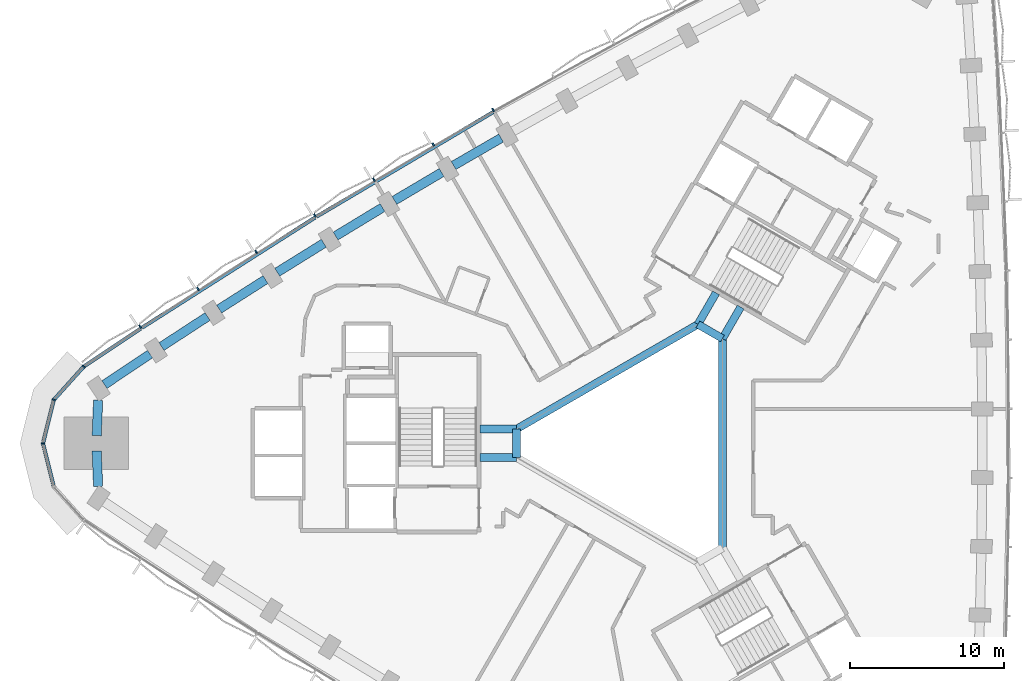
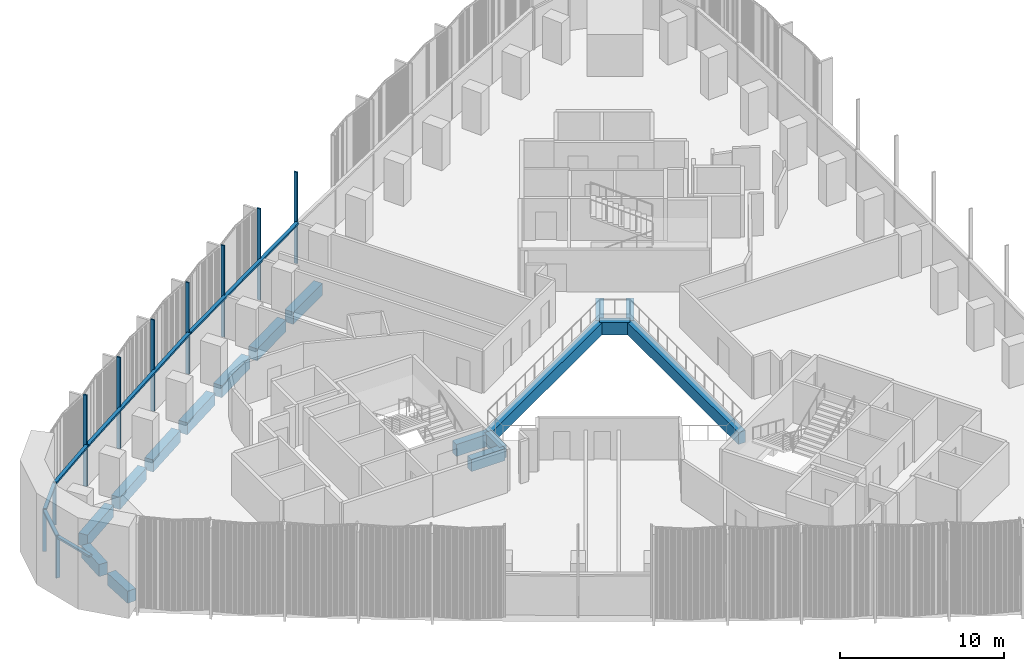
# One storey, part 4 of 15: 17 beams, 16 members, 1 element without a shape of its own.
"""IFC4 building model written with IfcOpenShell, lengths in metres."""

from ifc_helpers import new_model, si_unit, direction, frame, origin, origin_2d, place, context, subcontext, project, spatial, rectangle, extrude, material, material_profile, profile_set, type_object, element, aggregate, save


model = new_model("IFC4")

# Units and contexts
model_context = context("Model", 3, precision=1e-05, world=origin(), true_north=direction((0.0, 1.0)))
body_context = subcontext(model_context, "Body", "Model", "MODEL_VIEW")
ifc_project = project(units=[si_unit("LENGTHUNIT", "METRE"), si_unit("AREAUNIT", "SQUARE_METRE"), si_unit("VOLUMEUNIT", "CUBIC_METRE"), si_unit("PLANEANGLEUNIT", "RADIAN"), si_unit("MASSUNIT", "GRAM", prefix="KILO")], contexts=[model_context])

# Site, building, storey
site_placement = place(None, origin())
site = spatial("IfcSite", under=ifc_project, at=site_placement, CompositionType="ELEMENT")
building_placement = place(site_placement, origin())
building = spatial("IfcBuilding", under=site, at=building_placement, Name="Tamra Quay Hotel Tower", CompositionType="ELEMENT")
storey_placement = place(building_placement, frame((0.0, 0.0, 67.39990234375)))
storey = spatial("IfcBuildingStorey", under=building, at=storey_placement, Name="L15", CompositionType="ELEMENT", Elevation=67.39990234375)

# Beams
ifc_material_1 = material(Name="Concrete M60", Category="concrete")
ifc_material_profile_1 = material_profile(ifc_material_1, rectangle(XDim=0.5, YDim=0.89990234375, at=origin_2d()), Name="ATRIUM EDGE BEAM RC 500x900")
ifc_profile_set_1 = profile_set([ifc_material_profile_1], Name="Concrete M60")
beam_type_1 = type_object("IfcBeamType", Name="ATRIUM EDGE BEAM RC 500x900", PredefinedType="BEAM", material=ifc_profile_set_1)
beam_1_placement = place(storey_placement, frame((5.0, 6.812744140625, -0.9248046875), z_axis=(0.0, -1.0, 0.0), x_axis=(1.0, 0.0, 0.0)))
element("IfcBeam", 1, at=beam_1_placement, inside=storey, type_object=beam_type_1, Name="BM-AB0-L15", PredefinedType="BEAM", context=body_context, shape_type="SweptSolid", body=[
    extrude(rectangle(XDim=0.5, YDim=0.89990234375, at=origin_2d()), origin(), (0.0, 0.0, 1.0), 13.62548828125),
])
beam_2_placement = place(storey_placement, frame((-8.39990234375, -0.923828125, -0.9248046875), z_axis=(0.0, 1.0, 0.0), x_axis=(-1.0, 0.0, 0.0)))
element("IfcBeam", 2, at=beam_2_placement, inside=storey, type_object=beam_type_1, Name="BM-AB3-L15", PredefinedType="BEAM", context=body_context, shape_type="SweptSolid", body=[
    extrude(rectangle(XDim=0.5, YDim=0.89990234375, at=origin_2d()), origin(), (0.0, 0.0, 1.0), 1.84765625),
])
beam_3_placement = place(storey_placement, frame((-8.39990234375, 0.923828125, -0.9248046875), z_axis=(0.866021471679, 0.500006810544, 0.0), x_axis=(-0.500006810544, 0.866021471679, 0.0)))
element("IfcBeam", 3, at=beam_3_placement, inside=storey, type_object=beam_type_1, Name="BM-AB4-L15", PredefinedType="BEAM", context=body_context, shape_type="SweptSolid", body=[
    extrude(rectangle(XDim=0.5, YDim=0.89990234375, at=origin_2d()), origin(), (0.0, 0.0, 1.0), 13.625244140625),
])
beam_4_placement = place(storey_placement, frame((3.39990234375, 7.736572265625, -0.9248046875), z_axis=(0.86602275259, -0.500004591975, 0.0), x_axis=(0.500004591975, 0.86602275259, 0.0)))
element("IfcBeam", 4, at=beam_4_placement, inside=storey, type_object=beam_type_1, Name="BM-AB5-L15", PredefinedType="BEAM", context=body_context, shape_type="SweptSolid", body=[
    extrude(rectangle(XDim=0.5, YDim=0.89990234375, at=origin_2d()), origin(), (0.0, 0.0, 1.0), 1.84765625),
])
ifc_material_profile_2 = material_profile(ifc_material_1, rectangle(XDim=0.5, YDim=0.89990234375, at=origin_2d()), Name="ATRIUM TIE BEAM RC 500x900")
ifc_profile_set_2 = profile_set([ifc_material_profile_2], Name="Concrete M60")
beam_type_2 = type_object("IfcBeamType", Name="ATRIUM TIE BEAM RC 500x900", PredefinedType="BEAM", material=ifc_profile_set_2)
beam_5_placement = place(storey_placement, frame((5.0, 6.812744140625, -0.9248046875), z_axis=(0.500029618126, 0.866008303076, 0.0), x_axis=(-0.866008303076, 0.500029618126, 0.0)))
element("IfcBeam", 5, at=beam_5_placement, inside=storey, type_object=beam_type_2, Name="BM-TIE-0-L15", PredefinedType="BEAM", context=body_context, shape_type="SweptSolid", body=[
    extrude(rectangle(XDim=0.5, YDim=0.89990234375, at=origin_2d()), origin(), (0.0, 0.0, 1.0), 2.362060546875),
])
for number, where, z_axis, x_axis, name in (
    (6, (-8.39990234375, -0.923828125, -0.9248046875), (-1.0, 0.0, 0.0), (0.0, -1.0, 0.0), "BM-TIE-3-L15"),
    (7, (-8.39990234375, 0.923828125, -0.9248046875), (-1.0, 0.0, 0.0), (0.0, -1.0, 0.0), "BM-TIE-4-L15"),
):
    element("IfcBeam", number, at=place(storey_placement, frame(where, z_axis=z_axis, x_axis=x_axis)), inside=storey, type_object=beam_type_2, Name=name, PredefinedType="BEAM", context=body_context, shape_type="SweptSolid", body=[
        extrude(rectangle(XDim=0.5, YDim=0.89990234375, at=origin_2d()), origin(), (0.0, 0.0, 1.0), 2.3623046875),
    ])
beam_6_placement = place(storey_placement, frame((3.39990234375, 7.736572265625, -0.9248046875), z_axis=(0.500029618126, 0.866008303076, 0.0), x_axis=(-0.866008303076, 0.500029618126, 0.0)))
element("IfcBeam", 8, at=beam_6_placement, inside=storey, type_object=beam_type_2, Name="BM-TIE-5-L15", PredefinedType="BEAM", context=body_context, shape_type="SweptSolid", body=[
    extrude(rectangle(XDim=0.5, YDim=0.89990234375, at=origin_2d()), origin(), (0.0, 0.0, 1.0), 2.362060546875),
])

# Curtain wall, members
ifc_material_2 = material(Name="Aluminium 6063 anodised dark grey", Category="aluminium")
curtain_wall_type = type_object("IfcCurtainWallType", Name="CW2 CURTAIN WALL", PredefinedType="NOTDEFINED", material=ifc_material_2)
curtain_wall_placement = place(storey_placement, origin())
curtain_wall = element("IfcCurtainWall", 9, at=curtain_wall_placement, inside=storey, type_object=curtain_wall_type, Name="CW2 north-west face L15", PredefinedType="NOTDEFINED")
ifc_material_profile_3 = material_profile(ifc_material_2, rectangle(XDim=0.239990234375, YDim=0.10009765625, at=origin_2d()), Name="MULLION 100X240")
ifc_profile_set_3 = profile_set([ifc_material_profile_3], Name="Aluminium 6063 anodised dark grey")
member_type_1 = type_object("IfcMemberType", Name="MULLION CW2 Z1", PredefinedType="MULLION", material=ifc_profile_set_3)
member_1_placement = place(storey_placement, frame((-9.9248046875, 21.680419921875, 0.0), z_axis=(0.0, 0.0, 1.0), x_axis=(-0.495300312687, 0.868721819832, 0.0)))
member_1 = element("IfcMember", 10, at=member_1_placement, type_object=member_type_1, Name="CW2 mullion L15.NW.7", PredefinedType="MULLION", context=body_context, shape_type="SweptSolid", body=[
    extrude(rectangle(XDim=0.239990234375, YDim=0.10009765625, at=origin_2d()), origin(), (0.0, 0.0, 1.0), 6.800048828125),
])
member_2_placement = place(storey_placement, frame((-13.8134765625, 19.435546875, 0.0), z_axis=(0.0, 0.0, 1.0), x_axis=(-0.504685008453, 0.863303563205, 0.0)))
member_2 = element("IfcMember", 11, at=member_2_placement, type_object=member_type_1, Name="CW2 mullion L15.NW.8", PredefinedType="MULLION", context=body_context, shape_type="SweptSolid", body=[
    extrude(rectangle(XDim=0.239990234375, YDim=0.10009765625, at=origin_2d()), origin(), (0.0, 0.0, 1.0), 6.800048828125),
])
member_3_placement = place(storey_placement, frame((-17.67724609375, 17.1484375, 0.0), z_axis=(0.0, 0.0, 1.0), x_axis=(-0.514004526657, 0.857787471683, 0.0)))
member_3 = element("IfcMember", 12, at=member_3_placement, type_object=member_type_1, Name="CW2 mullion L15.NW.9", PredefinedType="MULLION", context=body_context, shape_type="SweptSolid", body=[
    extrude(rectangle(XDim=0.239990234375, YDim=0.10009765625, at=origin_2d()), origin(), (0.0, 0.0, 1.0), 6.800048828125),
])
member_4_placement = place(storey_placement, frame((-21.51708984375, 14.8193359375, 0.0), z_axis=(0.0, 0.0, 1.0), x_axis=(-0.523257144174, 0.852174841843, 0.0)))
member_4 = element("IfcMember", 13, at=member_4_placement, type_object=member_type_1, Name="CW2 mullion L15.NW.10", PredefinedType="MULLION", context=body_context, shape_type="SweptSolid", body=[
    extrude(rectangle(XDim=0.239990234375, YDim=0.10009765625, at=origin_2d()), origin(), (0.0, 0.0, 1.0), 6.800048828125),
])
member_5_placement = place(storey_placement, frame((-25.33056640625, 12.44921875, 0.0), z_axis=(0.0, 0.0, 1.0), x_axis=(-0.532446882669, 0.846463417482, 0.0)))
member_5 = element("IfcMember", 14, at=member_5_placement, type_object=member_type_1, Name="CW2 mullion L15.NW.11", PredefinedType="MULLION", context=body_context, shape_type="SweptSolid", body=[
    extrude(rectangle(XDim=0.239990234375, YDim=0.10009765625, at=origin_2d()), origin(), (0.0, 0.0, 1.0), 6.800048828125),
])
member_6_placement = place(storey_placement, frame((-29.1181640625, 10.037841796875, 0.0), z_axis=(0.0, 0.0, 1.0), x_axis=(-0.541560885498, 0.84066152957, 0.0)))
member_6 = element("IfcMember", 15, at=member_6_placement, type_object=member_type_1, Name="CW2 mullion L15.NW.12", PredefinedType="MULLION", context=body_context, shape_type="SweptSolid", body=[
    extrude(rectangle(XDim=0.239990234375, YDim=0.10009765625, at=origin_2d()), origin(), (0.0, 0.0, 1.0), 6.800048828125),
])
member_7_placement = place(storey_placement, frame((-32.88037109375, 7.58544921875, 0.0), z_axis=(0.0, 0.0, 1.0), x_axis=(-0.550591269595, 0.834774971981, 0.0)))
member_7 = element("IfcMember", 16, at=member_7_placement, type_object=member_type_1, Name="CW2 mullion L15.NW.13", PredefinedType="MULLION", context=body_context, shape_type="SweptSolid", body=[
    extrude(rectangle(XDim=0.239990234375, YDim=0.10009765625, at=origin_2d()), origin(), (0.0, 0.0, 1.0), 6.800048828125),
])
member_8_placement = place(storey_placement, frame((-36.547607421875, 4.993896484375, 0.0), z_axis=(0.0, 0.0, 1.0), x_axis=(-0.654196774513, 0.756324388221, 0.0)))
member_8 = element("IfcMember", 17, at=member_8_placement, type_object=member_type_1, Name="CW2 mullion L15.NW.14", PredefinedType="MULLION", context=body_context, shape_type="SweptSolid", body=[
    extrude(rectangle(XDim=0.239990234375, YDim=0.10009765625, at=origin_2d()), origin(), (0.0, 0.0, 1.0), 3.125),
])
member_9_placement = place(storey_placement, frame((-38.497802734375, 2.828125, 0.0), z_axis=(0.0, 0.0, 1.0), x_axis=(-0.882955345235, 0.469456982396, 0.0)))
member_9 = element("IfcMember", 18, at=member_9_placement, type_object=member_type_1, Name="CW2 mullion L15.NW.15", PredefinedType="MULLION", context=body_context, shape_type="SweptSolid", body=[
    extrude(rectangle(XDim=0.239990234375, YDim=0.10009765625, at=origin_2d()), origin(), (0.0, 0.0, 1.0), 3.125),
])
member_10_placement = place(storey_placement, frame((-39.202880859375, 0.0, 0.0), z_axis=(0.0, 0.0, 1.0), x_axis=(-1.0, 0.0, 0.0)))
member_10 = element("IfcMember", 19, at=member_10_placement, type_object=member_type_1, Name="CW2 mullion L15.NW.16", PredefinedType="MULLION", context=body_context, shape_type="SweptSolid", body=[
    extrude(rectangle(XDim=0.239990234375, YDim=0.10009765625, at=origin_2d()), origin(), (0.0, 0.0, 1.0), 3.125),
])

# Beams
ifc_material_profile_4 = material_profile(ifc_material_1, rectangle(XDim=0.60009765625, YDim=0.89990234375, at=origin_2d()), Name="SPANDREL BEAM RC 600x900")
ifc_profile_set_4 = profile_set([ifc_material_profile_4], Name="Concrete M60")
beam_type_3 = type_object("IfcBeamType", Name="SPANDREL BEAM RC 600x900", PredefinedType="SPANDREL", material=ifc_profile_set_4)
beam_7_placement = place(storey_placement, frame((-9.401123046875, 19.853759765625, -0.9248046875), z_axis=(-0.866017069707, -0.500014434768, 0.0), x_axis=(0.500014434768, -0.866017069707, 0.0)))
element("IfcBeam", 20, at=beam_7_placement, inside=storey, type_object=beam_type_3, Name="BM-SP1-021-L15", PredefinedType="SPANDREL", context=body_context, shape_type="SweptSolid", body=[
    extrude(rectangle(XDim=0.60009765625, YDim=0.89990234375, at=origin_2d()), origin(), (0.0, 0.0, 1.0), 3.57080078125),
])
beam_8_placement = place(storey_placement, frame((-13.270263671875, 17.6142578125, -0.9248046875), z_axis=(-0.860524689034, -0.509408735264, 0.0), x_axis=(0.509408735264, -0.860524689034, 0.0)))
element("IfcBeam", 21, at=beam_8_placement, inside=storey, type_object=beam_type_3, Name="BM-SP1-022-L15", PredefinedType="SPANDREL", context=body_context, shape_type="SweptSolid", body=[
    extrude(rectangle(XDim=0.60009765625, YDim=0.89990234375, at=origin_2d()), origin(), (0.0, 0.0, 1.0), 3.570556640625),
])
beam_9_placement = place(storey_placement, frame((-17.114990234375, 15.3330078125, -0.9248046875), z_axis=(-0.854966252085, -0.518683629775, 0.0), x_axis=(0.518683629775, -0.854966252085, 0.0)))
element("IfcBeam", 22, at=beam_9_placement, inside=storey, type_object=beam_type_3, Name="BM-SP1-023-L15", PredefinedType="SPANDREL", context=body_context, shape_type="SweptSolid", body=[
    extrude(rectangle(XDim=0.60009765625, YDim=0.89990234375, at=origin_2d()), origin(), (0.0, 0.0, 1.0), 3.56982421875),
])
beam_10_placement = place(storey_placement, frame((-20.93408203125, 13.010498046875, -0.9248046875), z_axis=(-0.849320953317, -0.527876802158, 0.0), x_axis=(0.527876802158, -0.849320953317, 0.0)))
element("IfcBeam", 23, at=beam_10_placement, inside=storey, type_object=beam_type_3, Name="BM-SP1-024-L15", PredefinedType="SPANDREL", context=body_context, shape_type="SweptSolid", body=[
    extrude(rectangle(XDim=0.60009765625, YDim=0.89990234375, at=origin_2d()), origin(), (0.0, 0.0, 1.0), 3.570556640625),
])
beam_11_placement = place(storey_placement, frame((-24.728515625, 10.646484375, -0.9248046875), z_axis=(-0.843593906333, -0.53698167678, 0.0), x_axis=(0.53698167678, -0.843593906333, 0.0)))
element("IfcBeam", 24, at=beam_11_placement, inside=storey, type_object=beam_type_3, Name="BM-SP1-025-L15", PredefinedType="SPANDREL", context=body_context, shape_type="SweptSolid", body=[
    extrude(rectangle(XDim=0.60009765625, YDim=0.89990234375, at=origin_2d()), origin(), (0.0, 0.0, 1.0), 3.5703125),
])
beam_12_placement = place(storey_placement, frame((-28.4970703125, 8.24169921875, -0.9248046875), z_axis=(-0.837739819239, -0.546069588296, 0.0), x_axis=(0.546069588296, -0.837739819239, 0.0)))
element("IfcBeam", 25, at=beam_12_placement, inside=storey, type_object=beam_type_3, Name="BM-SP1-026-L15", PredefinedType="SPANDREL", context=body_context, shape_type="SweptSolid", body=[
    extrude(rectangle(XDim=0.60009765625, YDim=0.89990234375, at=origin_2d()), origin(), (0.0, 0.0, 1.0), 3.570068359375),
])
beam_13_placement = place(storey_placement, frame((-32.239013671875, 5.796630859375, -0.9248046875), z_axis=(-0.831818807601, -0.555047269448, 0.0), x_axis=(0.555047269448, -0.831818807601, 0.0)))
element("IfcBeam", 26, at=beam_13_placement, inside=storey, type_object=beam_type_3, Name="BM-SP1-027-L15", PredefinedType="SPANDREL", context=body_context, shape_type="SweptSolid", body=[
    extrude(rectangle(XDim=0.60009765625, YDim=0.89990234375, at=origin_2d()), origin(), (0.0, 0.0, 1.0), 3.57080078125),
])
for number, where, z_axis, x_axis, name in (
    (27, (-35.614501953125, 2.805908203125, -0.9248046875), (-0.040711272802, -0.999170952474, 0.0), (0.999170952474, -0.040711272802, 0.0), "BM-SP1-028-L15"),
    (28, (-35.70849609375, -0.4990234375, -0.9248046875), (0.040711272802, -0.999170952474, 0.0), (0.999170952474, 0.040711272802, 0.0), "BM-SP1-029-L15"),
):
    element("IfcBeam", number, at=place(storey_placement, frame(where, z_axis=z_axis, x_axis=x_axis)), inside=storey, type_object=beam_type_3, Name=name, PredefinedType="SPANDREL", context=body_context, shape_type="SweptSolid", body=[
        extrude(rectangle(XDim=0.60009765625, YDim=0.89990234375, at=origin_2d()), origin(), (0.0, 0.0, 1.0), 2.308837890625),
    ])

# Member
ifc_material_profile_5 = material_profile(ifc_material_2, rectangle(XDim=0.239990234375, YDim=0.139892578125, at=origin_2d()), Name="TRANSOM 240X140")
ifc_profile_set_5 = profile_set([ifc_material_profile_5], Name="Aluminium 6063 anodised dark grey")
member_type_2 = type_object("IfcMemberType", Name="TRANSOM CW2 Z1", PredefinedType="USERDEFINED", material=ifc_profile_set_5)
member_11_placement = place(storey_placement, frame((-9.90869140625, 21.55126953125, 3.05517578125), z_axis=(-0.860560507804, -0.509348223133, 0.0), x_axis=(0.509348223133, -0.860560507804, 0.0)))
member_11 = element("IfcMember", 29, at=member_11_placement, type_object=member_type_2, Name="CW2 transom L15.NW.7", ObjectType="TRANSOM", PredefinedType="USERDEFINED", context=body_context, shape_type="SweptSolid", body=[
    extrude(rectangle(XDim=0.239990234375, YDim=0.139892578125, at=origin_2d()), origin(), (0.0, 0.0, 1.0), 13.36669921875),
])

member_12_placement = place(storey_placement, frame((-21.496826171875, 14.690673828125, 3.05517578125), z_axis=(-0.843574233819, -0.537012580892, 0.0), x_axis=(0.537012580892, -0.843574233819, 0.0)))
member_12 = element("IfcMember", 30, at=member_12_placement, type_object=member_type_2, Name="CW2 transom L15.NW.10", ObjectType="TRANSOM", PredefinedType="USERDEFINED", context=body_context, shape_type="SweptSolid", body=[
    extrude(rectangle(XDim=0.239990234375, YDim=0.139892578125, at=origin_2d()), origin(), (0.0, 0.0, 1.0), 13.366455078125),
])

member_13_placement = place(storey_placement, frame((-32.85595703125, 7.45751953125, 3.05517578125), z_axis=(-0.831801992413, -0.555072468618, 0.0), x_axis=(0.555072468618, -0.831801992413, 0.0)))
member_13 = element("IfcMember", 31, at=member_13_placement, type_object=member_type_2, Name="CW2 transom L15.NW.13", ObjectType="TRANSOM", PredefinedType="USERDEFINED", context=body_context, shape_type="SweptSolid", body=[
    extrude(rectangle(XDim=0.239990234375, YDim=0.139892578125, at=origin_2d()), origin(), (0.0, 0.0, 1.0), 4.38818359375),
])

member_14_placement = place(storey_placement, frame((-36.5810546875, 4.956787109375, 3.05517578125), z_axis=(-0.669142034262, -0.743134535588, 0.0), x_axis=(0.743134535588, -0.669142034262, 0.0)))
member_14 = element("IfcMember", 32, at=member_14_placement, type_object=member_type_2, Name="CW2 transom L15.NW.14", ObjectType="TRANSOM", PredefinedType="USERDEFINED", context=body_context, shape_type="SweptSolid", body=[
    extrude(rectangle(XDim=0.239990234375, YDim=0.139892578125, at=origin_2d()), origin(), (0.0, 0.0, 1.0), 2.814453125),
])

member_15_placement = place(storey_placement, frame((-38.510009765625, 2.779541015625, 3.05517578125), z_axis=(-0.241841612879, -0.970315739479, 0.0), x_axis=(0.970315739479, -0.241841612879, 0.0)))
member_15 = element("IfcMember", 33, at=member_15_placement, type_object=member_type_2, Name="CW2 transom L15.NW.15", ObjectType="TRANSOM", PredefinedType="USERDEFINED", context=body_context, shape_type="SweptSolid", body=[
    extrude(rectangle(XDim=0.239990234375, YDim=0.139892578125, at=origin_2d()), origin(), (0.0, 0.0, 1.0), 2.814453125),
])

member_16_placement = place(storey_placement, frame((-39.190673828125, -0.048583984375, 3.05517578125), z_axis=(0.241841612879, -0.970315739479, 0.0), x_axis=(0.970315739479, 0.241841612879, 0.0)))
member_16 = element("IfcMember", 34, at=member_16_placement, type_object=member_type_2, Name="CW2 transom L15.NW.16", ObjectType="TRANSOM", PredefinedType="USERDEFINED", context=body_context, shape_type="SweptSolid", body=[
    extrude(rectangle(XDim=0.239990234375, YDim=0.139892578125, at=origin_2d()), origin(), (0.0, 0.0, 1.0), 2.814453125),
])

aggregate(curtain_wall, [member_1, member_11, member_2, member_3, member_4, member_12, member_5, member_6, member_7, member_13, member_8, member_14, member_9, member_15, member_10, member_16])

save(model, "model.ifc")
